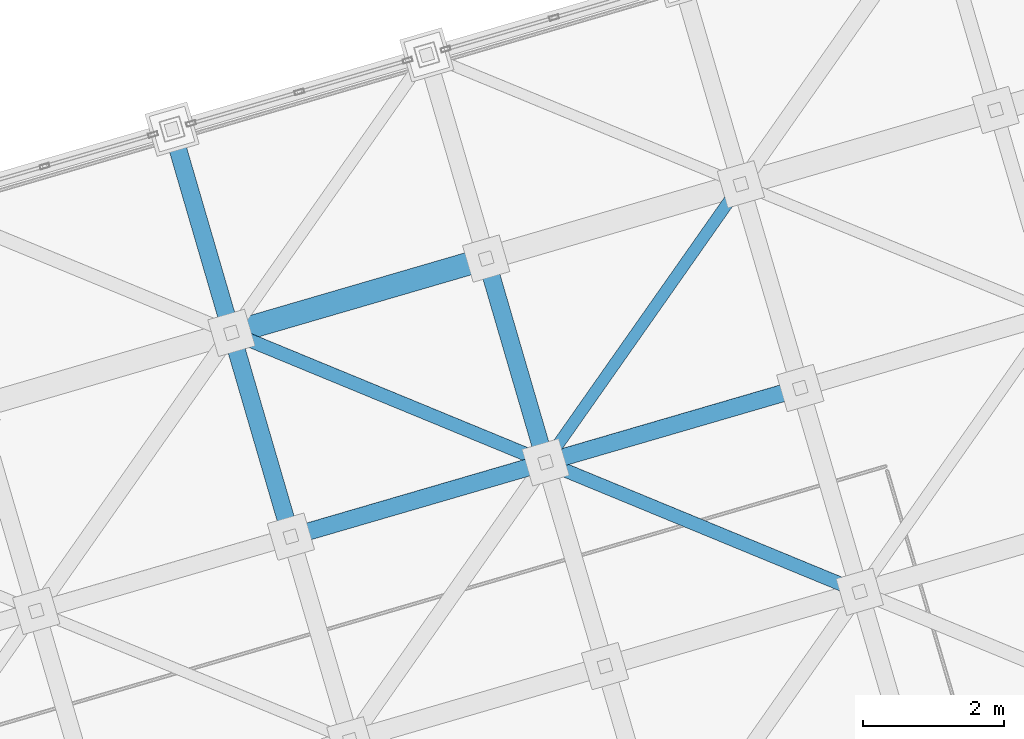
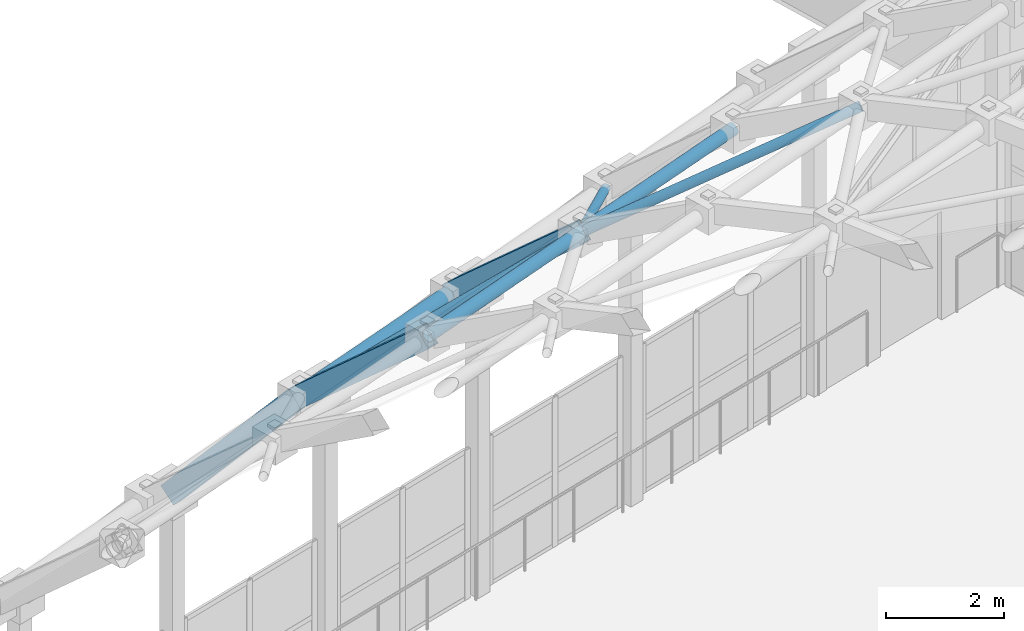
# One storey, part 116 of 248: 6 members, 3 beams.
"""IFC4 building model written with IfcOpenShell, lengths in metres."""

from ifc_helpers import new_model, si_unit, direction, frame, origin, origin_2d, place, context, subcontext, project, spatial, hollow_rectangle, hollow_circle, extrude, material, material_profile, profile_set, type_object, element, save


model = new_model("IFC4")

# Units and contexts
model_context = context("Model", 3, precision=1e-05, world=origin(), true_north=direction((0.0, 1.0)))
body_context = subcontext(model_context, "Body", "Model", "MODEL_VIEW")
ifc_project = project(units=[si_unit("LENGTHUNIT", "METRE"), si_unit("AREAUNIT", "SQUARE_METRE"), si_unit("VOLUMEUNIT", "CUBIC_METRE"), si_unit("PLANEANGLEUNIT", "RADIAN"), si_unit("MASSUNIT", "GRAM", prefix="KILO")], contexts=[model_context])

# Site, building, storey
site_placement = place(None, origin())
site = spatial("IfcSite", under=ifc_project, at=site_placement, CompositionType="ELEMENT")
building_placement = place(site_placement, origin())
building = spatial("IfcBuilding", under=site, at=building_placement, Name="Canggui Botanical Conservatory", CompositionType="ELEMENT")
storey_placement = place(building_placement, frame((0.0, 0.0, 5.39990234375)))
storey = spatial("IfcBuildingStorey", under=building, at=storey_placement, Name="L02", CompositionType="ELEMENT", Elevation=5.39990234375)

# Beams
ifc_material = material(Name="Steel Q355C", Category="steel")
ifc_material_profile_1 = material_profile(ifc_material, hollow_rectangle(XDim=0.25, YDim=0.39990234375, WallThickness=0.013916015625, at=origin_2d()), Name="RHS 250x400x14")
ifc_profile_set_1 = profile_set([ifc_material_profile_1], Name="Steel Q355C")
beam_type = type_object("IfcBeamType", Name="BM-GJ03", PredefinedType="BEAM", material=ifc_profile_set_1)
beam_1_placement = place(storey_placement, frame((45.679931640625, 74.489990234375, 11.994140625), z_axis=(-0.208495222194, 0.715005272157, -0.667305929173), x_axis=(-0.960017315421, -0.279940626011, 0.0)))
element("IfcBeam", 1, at=beam_1_placement, inside=storey, type_object=beam_type, Name="Conservatory Stepped-Arch Rib GJ-10 Segment 9", PredefinedType="BEAM", context=body_context, shape_type="SweptSolid", body=[
    extrude(hollow_rectangle(XDim=0.25, YDim=0.39990234375, WallThickness=0.013916015625, at=origin_2d()), origin(), (0.0, 0.0, 1.0), 4.028076171875),
])
beam_2_placement = place(storey_placement, frame((44.840087890625, 77.3701171875, 9.30615234375), z_axis=(-0.183568061506, 0.629284758361, -0.755184387874), x_axis=(-0.959989061447, -0.280037500885, 0.0)))
element("IfcBeam", 2, at=beam_2_placement, inside=storey, type_object=beam_type, Name="Conservatory Stepped-Arch Rib GJ-10 Segment 10", PredefinedType="BEAM", context=body_context, shape_type="SweptSolid", body=[
    extrude(hollow_rectangle(XDim=0.25, YDim=0.39990234375, WallThickness=0.013916015625, at=origin_2d()), origin(), (0.0, 0.0, 1.0), 4.576416015625),
])
beam_3_placement = place(storey_placement, frame((49.280029296875, 75.5400390625, 12.244140625), z_axis=(-0.208562233276, 0.714966609628, -0.66732641336), x_axis=(-0.959989061447, -0.280037500885, 0.0)))
element("IfcBeam", 3, at=beam_3_placement, inside=storey, type_object=beam_type, Name="Conservatory Stepped-Arch Rib GJ-11 Segment 9", PredefinedType="BEAM", context=body_context, shape_type="SweptSolid", body=[
    extrude(hollow_rectangle(XDim=0.25, YDim=0.39990234375, WallThickness=0.013916015625, at=origin_2d()), origin(), (0.0, 0.0, 1.0), 4.028076171875),
])

# Members
ifc_material_profile_2 = material_profile(ifc_material, hollow_circle(Radius=0.16259765625, WallThickness=0.011962890625, at=origin_2d()), Name="CHS 325x12")
ifc_profile_set_2 = profile_set([ifc_material_profile_2], Name="Steel Q355C")
member_type_1 = type_object("IfcMemberType", Name="MEM-GSC01", PredefinedType="CHORD", material=ifc_profile_set_2)
member_1_placement = place(storey_placement, frame((44.840087890625, 77.3701171875, 9.30615234375), z_axis=(0.95788444389, 0.279342360714, 0.066522459854), x_axis=(-0.279962497833, 0.960010937337, 0.0)))
element("IfcMember", 4, at=member_1_placement, inside=storey, type_object=member_type_1, Name="Conservatory Gridshell Longitudinal Chord 10-9", PredefinedType="CHORD", context=body_context, shape_type="SweptSolid", body=[
    extrude(hollow_circle(Radius=0.16259765625, WallThickness=0.011962890625, at=origin_2d()), origin(), (0.0, 0.0, 1.0), 3.758056640625),
])
ifc_material_profile_3 = material_profile(ifc_material, hollow_circle(Radius=0.12255859375, WallThickness=0.010009765625, at=origin_2d()), Name="CHS 245x10")
ifc_profile_set_3 = profile_set([ifc_material_profile_3], Name="Steel Q355C")
member_type_2 = type_object("IfcMemberType", Name="MEM-GSC04", PredefinedType="CHORD", material=ifc_profile_set_3)
member_2_placement = place(storey_placement, frame((45.679931640625, 74.489990234375, 11.994140625), z_axis=(0.957872417874, 0.27938486839, 0.066517113516), x_axis=(-0.280004999853, 0.959998541695, 0.0)))
element("IfcMember", 5, at=member_2_placement, inside=storey, type_object=member_type_2, Name="Conservatory Gridshell Longitudinal Chord 10-8", PredefinedType="CHORD", context=body_context, shape_type="SweptSolid", body=[
    extrude(hollow_circle(Radius=0.12255859375, WallThickness=0.010009765625, at=origin_2d()), origin(), (0.0, 0.0, 1.0), 3.758544921875),
])
member_3_placement = place(storey_placement, frame((49.280029296875, 75.5400390625, 12.244140625), z_axis=(0.957867059601, 0.279402253194, 0.066521252562), x_axis=(-0.280022500685, 0.959993437014, 0.0)))
element("IfcMember", 6, at=member_3_placement, inside=storey, type_object=member_type_2, Name="Conservatory Gridshell Longitudinal Chord 11-8", PredefinedType="CHORD", context=body_context, shape_type="SweptSolid", body=[
    extrude(hollow_circle(Radius=0.12255859375, WallThickness=0.010009765625, at=origin_2d()), origin(), (0.0, 0.0, 1.0), 3.75830078125),
])
ifc_material_profile_4 = material_profile(ifc_material, hollow_circle(Radius=0.096923828125, WallThickness=0.008056640625, at=origin_2d()), Name="CHS 194x8")
ifc_profile_set_4 = profile_set([ifc_material_profile_4], Name="Steel Q355C")
member_type_3 = type_object("IfcMemberType", Name="MEM-GSD02", PredefinedType="RAFTER", material=ifc_profile_set_4)
member_4_placement = place(storey_placement, frame((44.840087890625, 77.3701171875, 9.30615234375), z_axis=(0.788657490704, -0.325072943491, 0.521868703571), x_axis=(0.381082183428, 0.924541166998, 0.0)))
element("IfcMember", 7, at=member_4_placement, inside=storey, type_object=member_type_3, Name="Conservatory Gridshell Diagrid Rafter 10-9", PredefinedType="RAFTER", context=body_context, shape_type="SweptSolid", body=[
    extrude(hollow_circle(Radius=0.096923828125, WallThickness=0.008056640625, at=origin_2d()), origin(), (0.0, 0.0, 1.0), 5.629638671875),
])
member_5_placement = place(storey_placement, frame((49.280029296875, 75.5400390625, 12.244140625), z_axis=(0.842525075962, -0.347276364754, 0.411765252125), x_axis=(0.381082183428, 0.924541166998, 0.0)))
element("IfcMember", 8, at=member_5_placement, inside=storey, type_object=member_type_3, Name="Conservatory Gridshell Diagrid Rafter 11-8", PredefinedType="RAFTER", context=body_context, shape_type="SweptSolid", body=[
    extrude(hollow_circle(Radius=0.096923828125, WallThickness=0.008056640625, at=origin_2d()), origin(), (0.0, 0.0, 1.0), 5.269775390625),
])
ifc_material_profile_5 = material_profile(ifc_material, hollow_circle(Radius=0.083984375, WallThickness=0.008056640625, at=origin_2d()), Name="CHS 168x8")
ifc_profile_set_5 = profile_set([ifc_material_profile_5], Name="Steel Q355C")
member_type_4 = type_object("IfcMemberType", Name="MEM-GSD03", PredefinedType="RAFTER", material=ifc_profile_set_5)
member_6_placement = place(storey_placement, frame((49.280029296875, 75.5400390625, 12.244140625), z_axis=(0.512469671775, 0.72969697537, -0.452677765798), x_axis=(-0.818344854073, 0.574727500484, 0.0)))
element("IfcMember", 9, at=member_6_placement, inside=storey, type_object=member_type_4, Name="Conservatory Gridshell Diagrid Rafter 11-9", PredefinedType="RAFTER", context=body_context, shape_type="SweptSolid", body=[
    extrude(hollow_circle(Radius=0.083984375, WallThickness=0.008056640625, at=origin_2d()), origin(), (0.0, 0.0, 1.0), 5.3857421875),
])

save(model, "model.ifc")
